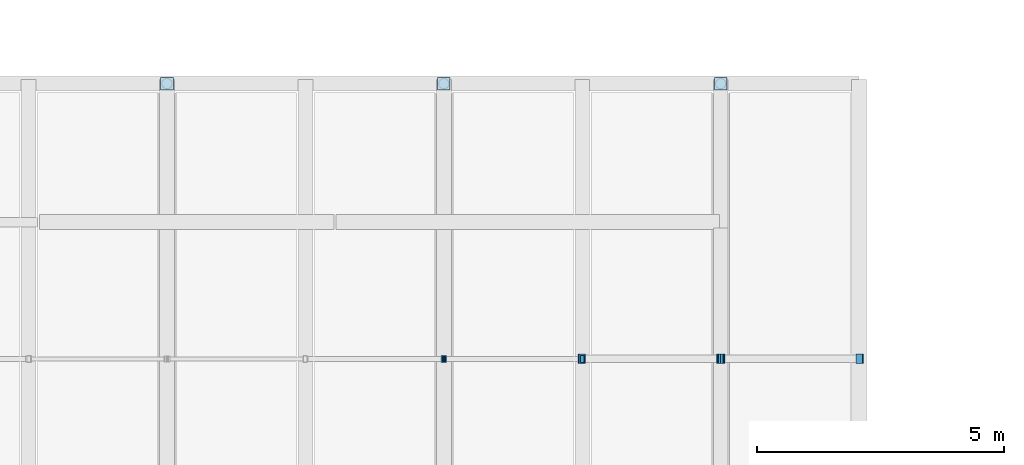
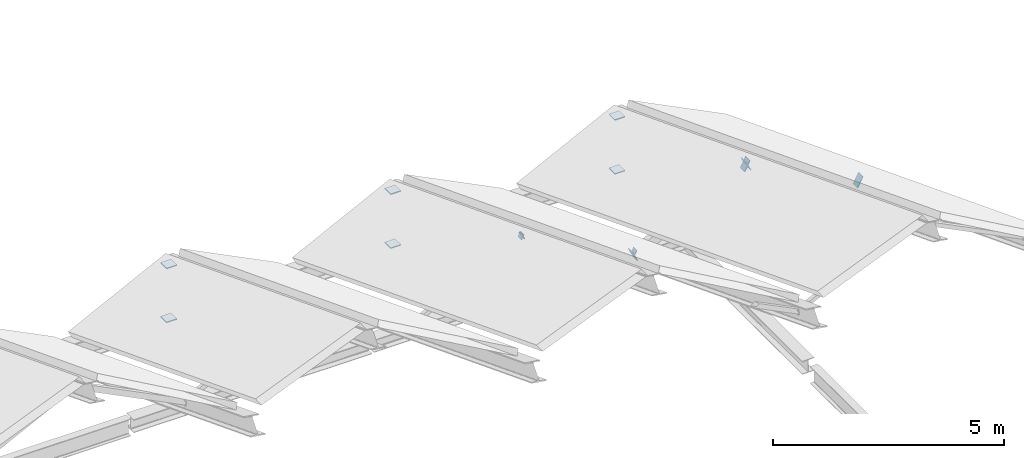
# One storey, part 36 of 49: 13 plates.
"""IFC4 building model written with IfcOpenShell, lengths in metres."""

from ifc_helpers import new_model, si_unit, direction, frame, origin, origin_2d, place, context, subcontext, project, spatial, rectangle, extrude, material, material_profile, profile_set, type_object, element, save


model = new_model("IFC4")

# Units and contexts
model_context = context("Model", 3, precision=1e-05, world=origin(), true_north=direction((0.0, 1.0)))
body_context = subcontext(model_context, "Body", "Model", "MODEL_VIEW")
ifc_project = project(units=[si_unit("LENGTHUNIT", "METRE"), si_unit("AREAUNIT", "SQUARE_METRE"), si_unit("VOLUMEUNIT", "CUBIC_METRE"), si_unit("PLANEANGLEUNIT", "RADIAN"), si_unit("MASSUNIT", "GRAM", prefix="KILO")], contexts=[model_context])

# Site, building, storey
site_placement = place(None, origin())
site = spatial("IfcSite", under=ifc_project, at=site_placement, CompositionType="ELEMENT")
building_placement = place(site_placement, origin())
building = spatial("IfcBuilding", under=site, at=building_placement, Name="Vinh Khe Railworks Police Headquarters", CompositionType="ELEMENT")
storey_placement = place(building_placement, frame((0.0, 0.0, 17.10009765625)))
storey = spatial("IfcBuildingStorey", under=building, at=storey_placement, Name="L04", CompositionType="ELEMENT", Elevation=17.10009765625)

# Plates
ifc_material = material(Name="Steel S355JR", Category="steel")
ifc_material_profile_1 = material_profile(ifc_material, rectangle(XDim=0.139892578125, YDim=0.139892578125, at=origin_2d()), Name="PL 140x140")
ifc_profile_set_1 = profile_set([ifc_material_profile_1], Name="Steel S355JR")
plate_type_1 = type_object("IfcPlateType", Name="Steel End-Cap Plate 140x140x24", PredefinedType="SHEET", material=ifc_profile_set_1)
for number, where, z_axis, x_axis, name in (
    (1, (54.39990234375, 56.03271484375, 3.387451171875), (-0.894427191, 0.0, 0.4472135955), (0.0, -1.0, 0.0), "End-Cap Gusset Plate PLT-EP-0538"),
    (2, (54.39990234375, 56.03271484375, 3.387451171875), (0.894427191, 0.0, 0.4472135955), (0.0, 1.0, 0.0), "End-Cap Gusset Plate PLT-EP-0539"),
    (3, (57.199951171875, 56.03271484375, 1.987548828125), (0.894427191, 0.0, -0.4472135955), (0.0, 1.0, 0.0), "End-Cap Gusset Plate PLT-EP-0549"),
):
    element("IfcPlate", number, at=place(storey_placement, frame(where, z_axis=z_axis, x_axis=x_axis)), inside=storey, type_object=plate_type_1, Name=name, PredefinedType="SHEET", context=body_context, shape_type="SweptSolid", body=[
        extrude(rectangle(XDim=0.139892578125, YDim=0.139892578125, at=origin_2d()), origin(), (0.0, 0.0, 1.0), 0.02392578125),
    ])
ifc_material_profile_2 = material_profile(ifc_material, rectangle(XDim=0.18994140625, YDim=0.2900390625, at=origin_2d()), Name="PL 190x290")
ifc_profile_set_2 = profile_set([ifc_material_profile_2], Name="Steel S355JR")
plate_type_2 = type_object("IfcPlateType", Name="Steel End-Cap Plate 190x290x24", PredefinedType="SHEET", material=ifc_profile_set_2)
for number, where, z_axis, x_axis, name in (
    (4, (57.199951171875, 56.03271484375, 1.912353515625), (-0.894427191, 0.0, -0.4472135955), (0.0, -1.0, 0.0), "End-Cap Gusset Plate PLT-EP-0548"),
    (5, (60.0, 56.03271484375, 3.3125), (-0.894427191, 0.0, 0.4472135955), (0.0, -1.0, 0.0), "End-Cap Gusset Plate PLT-EP-0569"),
    (6, (60.0, 56.03271484375, 3.3125), (0.894427191, 0.0, 0.4472135955), (0.0, 1.0, 0.0), "End-Cap Gusset Plate PLT-EP-0570"),
    (7, (62.800048828125, 56.03271484375, 1.912353515625), (0.894427191, 0.0, -0.4472135955), (0.0, 1.0, 0.0), "End-Cap Gusset Plate PLT-EP-0642"),
):
    element("IfcPlate", number, at=place(storey_placement, frame(where, z_axis=z_axis, x_axis=x_axis)), inside=storey, type_object=plate_type_2, Name=name, PredefinedType="SHEET", context=body_context, shape_type="SweptSolid", body=[
        extrude(rectangle(XDim=0.18994140625, YDim=0.2900390625, at=origin_2d()), origin(), (0.0, 0.0, 1.0), 0.02392578125),
    ])
ifc_material_profile_3 = material_profile(ifc_material, rectangle(XDim=0.259033203125, YDim=0.259033203125, at=origin_2d()), Name="PL 259x259")
ifc_profile_set_3 = profile_set([ifc_material_profile_3], Name="Steel S355JR")
plate_type_3 = type_object("IfcPlateType", Name="Steel End-Cap Plate 259x259x24", PredefinedType="SHEET", material=ifc_profile_set_3)
plate_1_placement = place(storey_placement, frame((48.800048828125, 61.60009765625, -0.191162109375), z_axis=(0.0, 0.0, -1.0), x_axis=(1.0, 0.0, 0.0)))
element("IfcPlate", 8, at=plate_1_placement, inside=storey, type_object=plate_type_3, Name="End-Cap Gusset Plate PLT-EP-0478", PredefinedType="SHEET", context=body_context, shape_type="SweptSolid", body=[
    extrude(rectangle(XDim=0.259033203125, YDim=0.259033203125, at=origin_2d()), origin(), (0.0, 0.0, 1.0), 0.024169921875),
])
plate_2_placement = place(storey_placement, frame((48.800048828125, 61.60009765625, 1.208740234375), z_axis=(0.0, 0.0, 1.0), x_axis=(1.0, 0.0, 0.0)))
element("IfcPlate", 9, at=plate_2_placement, inside=storey, type_object=plate_type_3, Name="End-Cap Gusset Plate PLT-EP-0479", PredefinedType="SHEET", context=body_context, shape_type="SweptSolid", body=[
    extrude(rectangle(XDim=0.259033203125, YDim=0.259033203125, at=origin_2d()), origin(), (0.0, 0.0, 1.0), 0.02392578125),
])
plate_3_placement = place(storey_placement, frame((54.39990234375, 61.60009765625, -0.191162109375), z_axis=(0.0, 0.0, -1.0), x_axis=(1.0, 0.0, 0.0)))
element("IfcPlate", 10, at=plate_3_placement, inside=storey, type_object=plate_type_3, Name="End-Cap Gusset Plate PLT-EP-0540", PredefinedType="SHEET", context=body_context, shape_type="SweptSolid", body=[
    extrude(rectangle(XDim=0.259033203125, YDim=0.259033203125, at=origin_2d()), origin(), (0.0, 0.0, 1.0), 0.024169921875),
])
plate_4_placement = place(storey_placement, frame((54.39990234375, 61.60009765625, 1.208740234375), z_axis=(0.0, 0.0, 1.0), x_axis=(1.0, 0.0, 0.0)))
element("IfcPlate", 11, at=plate_4_placement, inside=storey, type_object=plate_type_3, Name="End-Cap Gusset Plate PLT-EP-0541", PredefinedType="SHEET", context=body_context, shape_type="SweptSolid", body=[
    extrude(rectangle(XDim=0.259033203125, YDim=0.259033203125, at=origin_2d()), origin(), (0.0, 0.0, 1.0), 0.02392578125),
])
plate_5_placement = place(storey_placement, frame((60.0, 61.60009765625, -0.191162109375), z_axis=(0.0, 0.0, -1.0), x_axis=(1.0, 0.0, 0.0)))
element("IfcPlate", 12, at=plate_5_placement, inside=storey, type_object=plate_type_3, Name="End-Cap Gusset Plate PLT-EP-0578", PredefinedType="SHEET", context=body_context, shape_type="SweptSolid", body=[
    extrude(rectangle(XDim=0.259033203125, YDim=0.259033203125, at=origin_2d()), origin(), (0.0, 0.0, 1.0), 0.024169921875),
])
plate_6_placement = place(storey_placement, frame((60.0, 61.60009765625, 1.208740234375), z_axis=(0.0, 0.0, 1.0), x_axis=(1.0, 0.0, 0.0)))
element("IfcPlate", 13, at=plate_6_placement, inside=storey, type_object=plate_type_3, Name="End-Cap Gusset Plate PLT-EP-0580", PredefinedType="SHEET", context=body_context, shape_type="SweptSolid", body=[
    extrude(rectangle(XDim=0.259033203125, YDim=0.259033203125, at=origin_2d()), origin(), (0.0, 0.0, 1.0), 0.02392578125),
])

save(model, "model.ifc")
